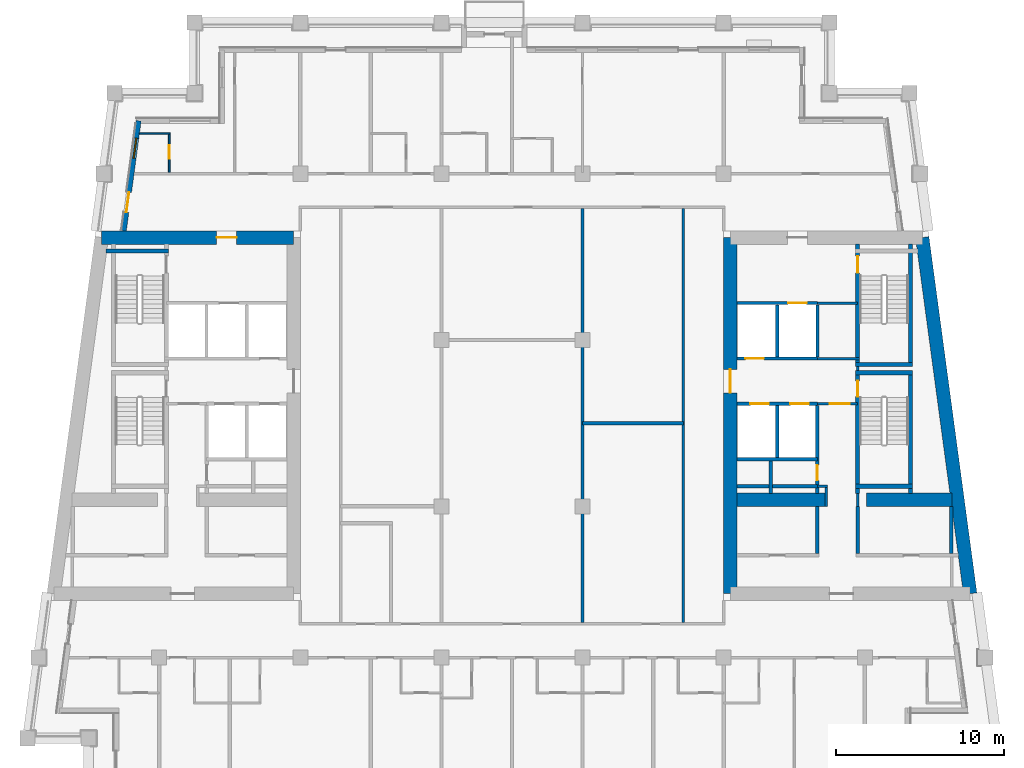
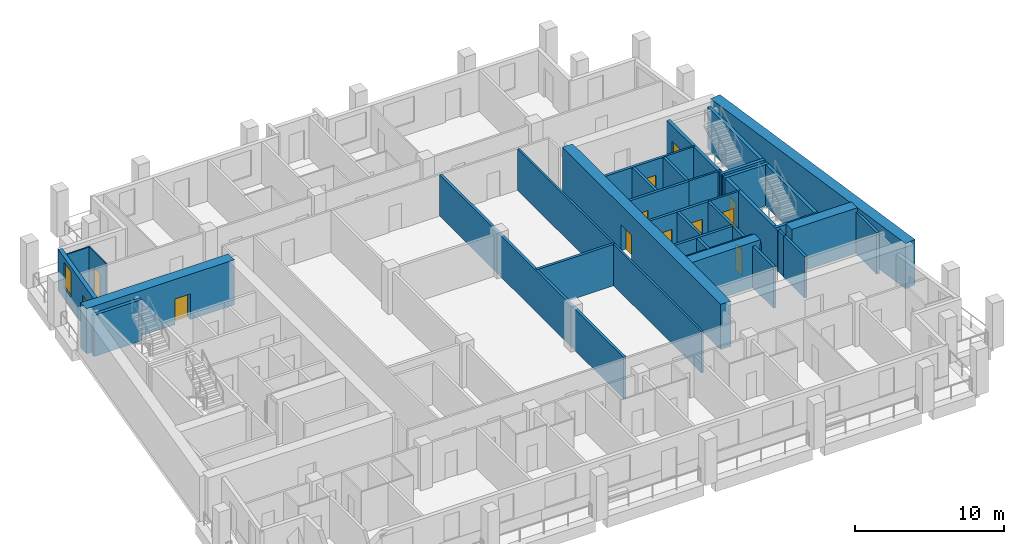
# One storey, part 5 of 12: 39 walls, 12 doors, 1 window, 13 openings.
"""IFC4 building model written with IfcOpenShell, lengths in metres."""

from ifc_helpers import new_model, si_unit, direction, frame, frame_2d, origin, place, context, subcontext, project, spatial, rectangle, extrude, material, layer, layer_set, type_object, element, fill, save


model = new_model("IFC4")

# Units and contexts
model_context = context("Model", 3, precision=1e-05, world=origin(), true_north=direction((0.0, 1.0)))
body_context = subcontext(model_context, "Body", "Model", "MODEL_VIEW")
ifc_project = project(units=[si_unit("LENGTHUNIT", "METRE"), si_unit("AREAUNIT", "SQUARE_METRE"), si_unit("VOLUMEUNIT", "CUBIC_METRE"), si_unit("PLANEANGLEUNIT", "RADIAN"), si_unit("MASSUNIT", "GRAM", prefix="KILO")], contexts=[model_context])

# Site, building, storey
site_placement = place(None, origin())
site = spatial("IfcSite", under=ifc_project, at=site_placement, CompositionType="ELEMENT")
building_placement = place(site_placement, origin())
building = spatial("IfcBuilding", under=site, at=building_placement, Name="Candeia Pilgrim Tower and Theatre", CompositionType="ELEMENT")
storey_placement = place(building_placement, frame((0.0, 0.0, 209.60009765625)))
storey = spatial("IfcBuildingStorey", under=building, at=storey_placement, Name="L50", CompositionType="ELEMENT", Elevation=209.60009765625)

# Wall, opening, door
ifc_material_1 = material(Name="Concrete C50/60", Category="concrete")
ifc_layer_1 = layer(ifc_material_1, 0.800048828125)
ifc_layer_set_1 = layer_set([ifc_layer_1], Name="Core wall 800 C50/60")
wall_type_1 = type_object("IfcWallType", Name="Core wall 800 C50/60", PredefinedType="SHEAR", material=ifc_layer_set_1)
wall_1_placement = place(storey_placement, frame((88.98046875, 132.0, 0.0), z_axis=(0.0, 0.0, 1.0), x_axis=(1.0, 0.0, 0.0)))
wall_1 = element("IfcWall", 1, at=wall_1_placement, inside=storey, type_object=wall_type_1, Name="Core wall W1", PredefinedType="SHEAR", context=body_context, shape_type="SweptSolid", body=[
    extrude(rectangle(XDim=11.41943359375, YDim=0.800048828125, at=frame_2d((5.709716796875, 0.0))), origin(), (0.0, 0.0, 1.0), 3.699951171875),
])
opening_1_placement = place(wall_1_placement, frame((6.8330078125, 0.0, 0.0)))
opening_1 = element("IfcOpeningElement", 2, at=opening_1_placement, cuts=wall_1, Name="Opening L50-D054", PredefinedType="OPENING", context=body_context, shape_type="SweptSolid", body=[
    extrude(rectangle(XDim=1.199951171875, YDim=2.10009765625, at=frame_2d((0.60009765625, 1.050048828125))), frame((0.0, 0.41015625, 0.0), z_axis=(0.0, -1.0, 0.0), x_axis=(1.0, 0.0, 0.0)), (0.0, 0.0, 1.0), 0.820068359375),
])
ifc_material_2 = material(Name="Steel fire door set", Category="steel")
door_type_1 = type_object("IfcDoorType", Name="D-1200-FD60", OperationType="NOTDEFINED", PredefinedType="DOOR", material=ifc_material_2)
door_1_placement = place(opening_1_placement, origin())
door_1 = element("IfcDoor", 3, at=door_1_placement, inside=storey, type_object=door_type_1, Name="Door L50-D054", OperationType="SINGLE_SWING_RIGHT", OverallHeight=2.10009765625, OverallWidth=1.199951171875, PredefinedType="DOOR", context=body_context, shape_type="SweptSolid", body=[
    extrude(rectangle(XDim=1.199951171875, YDim=2.10009765625, at=frame_2d((0.60009765625, 1.050048828125))), frame((0.0, 0.02490234375, 0.0), z_axis=(0.0, -1.0, 0.0), x_axis=(1.0, 0.0, 0.0)), (0.0, 0.0, 1.0), 0.050048828125),
])
fill(opening_1, door_1)

# Wall
wall_2_placement = place(storey_placement, frame((137.819580078125, 132.0, 0.0), z_axis=(0.0, 0.0, 1.0), x_axis=(0.133408347329, -0.991061154956, 0.0)))
element("IfcWall", 4, at=wall_2_placement, inside=storey, type_object=wall_type_1, Name="Core wall E2", PredefinedType="SHEAR", context=body_context, shape_type="SweptSolid", body=[
    extrude(rectangle(XDim=21.39111328125, YDim=0.800048828125, at=frame_2d((10.695556640625, 0.0))), origin(), (0.0, 0.0, 1.0), 3.699951171875),
])

# Wall, opening, door
wall_3_placement = place(storey_placement, frame((126.39990234375, 110.800048828125, 0.0), z_axis=(0.0, 0.0, 1.0), x_axis=(0.0, 1.0, 0.0)))
wall_3 = element("IfcWall", 5, at=wall_3_placement, inside=storey, type_object=wall_type_1, Name="Core wall E4", PredefinedType="SHEAR", context=body_context, shape_type="SweptSolid", body=[
    extrude(rectangle(XDim=21.199951171875, YDim=0.800048828125, at=frame_2d((10.60009765625, 0.0))), origin(), (0.0, 0.0, 1.0), 3.699951171875),
])
opening_2_placement = place(wall_3_placement, frame((11.949951171875, 0.0, 0.0)))
opening_2 = element("IfcOpeningElement", 6, at=opening_2_placement, cuts=wall_3, Name="Opening L50-D058", PredefinedType="OPENING", context=body_context, shape_type="SweptSolid", body=[
    extrude(rectangle(XDim=1.39990234375, YDim=2.10009765625, at=frame_2d((0.699951171875, 1.050048828125))), frame((0.0, 0.41015625, 0.0), z_axis=(0.0, -1.0, 0.0), x_axis=(1.0, 0.0, 0.0)), (0.0, 0.0, 1.0), 0.820068359375),
])
door_type_2 = type_object("IfcDoorType", Name="D-1400-FD60", OperationType="NOTDEFINED", PredefinedType="DOOR", material=ifc_material_2)
door_2_placement = place(opening_2_placement, origin())
door_2 = element("IfcDoor", 7, at=door_2_placement, inside=storey, type_object=door_type_2, Name="Door L50-D058", OperationType="SINGLE_SWING_RIGHT", OverallHeight=2.10009765625, OverallWidth=1.39990234375, PredefinedType="DOOR", context=body_context, shape_type="SweptSolid", body=[
    extrude(rectangle(XDim=1.39990234375, YDim=2.10009765625, at=frame_2d((0.699951171875, 1.050048828125))), frame((0.0, 0.02490234375, 0.0), z_axis=(0.0, -1.0, 0.0), x_axis=(1.0, 0.0, 0.0)), (0.0, 0.0, 1.0), 0.050048828125),
])
fill(opening_2, door_2)

# Walls
wall_4_placement = place(storey_placement, frame((126.800048828125, 116.39990234375, 0.0), z_axis=(0.0, 0.0, 1.0), x_axis=(1.0, 0.0, 0.0)))
element("IfcWall", 8, at=wall_4_placement, inside=storey, type_object=wall_type_1, Name="Core wall E5", PredefinedType="SHEAR", context=body_context, shape_type="SweptSolid", body=[
    extrude(rectangle(XDim=5.300048828125, YDim=0.800048828125, at=frame_2d((2.64990234375, 0.0))), origin(), (0.0, 0.0, 1.0), 3.699951171875),
])
wall_5_placement = place(storey_placement, frame((134.5, 116.39990234375, 0.0), z_axis=(0.0, 0.0, 1.0), x_axis=(1.0, 0.0, 0.0)))
element("IfcWall", 9, at=wall_5_placement, inside=storey, type_object=wall_type_1, Name="Core wall E6", PredefinedType="SHEAR", context=body_context, shape_type="SweptSolid", body=[
    extrude(rectangle(XDim=5.076904296875, YDim=0.800048828125, at=frame_2d((2.53857421875, 0.0))), origin(), (0.0, 0.0, 1.0), 3.699951171875),
])

# Wall, openings, door, window
ifc_material_3 = material(Name="Ceramic block masonry", Category="masonry")
ifc_layer_2 = layer(ifc_material_3, 0.300048828125)
ifc_layer_set_2 = layer_set([ifc_layer_2], Name="EW1 glazing-line wall 300")
wall_type_2 = type_object("IfcWallType", Name="EW1 glazing-line wall 300", PredefinedType="SOLIDWALL", material=ifc_layer_set_2)
wall_6_placement = place(storey_placement, frame((91.177490234375, 138.949951171875, 0.0), z_axis=(0.0, 0.0, 1.0), x_axis=(-0.133426664613, -0.991058689065, 0.0)))
wall_6 = element("IfcWall", 10, at=wall_6_placement, inside=storey, type_object=wall_type_2, Name="External wall L50-9.0", PredefinedType="SOLIDWALL", context=body_context, shape_type="SweptSolid", body=[
    extrude(rectangle(XDim=6.609130859375, YDim=0.300048828125, at=frame_2d((3.3046875, 0.0))), origin(), (0.0, 0.0, 1.0), 3.3798828125),
])
opening_3_placement = place(wall_6_placement, frame((1.039306640625, 0.0, 0.89990234375)))
opening_3 = element("IfcOpeningElement", 11, at=opening_3_placement, cuts=wall_6, Name="Opening W-B", PredefinedType="OPENING", context=body_context, shape_type="SweptSolid", body=[
    extrude(rectangle(XDim=1.199951171875, YDim=2.10009765625, at=frame_2d((0.60009765625, 1.050048828125))), frame((0.0, 0.16015625, 0.0), z_axis=(0.0, -1.0, 0.0), x_axis=(1.0, 0.0, 0.0)), (0.0, 0.0, 1.0), 0.320068359375),
])
opening_4_placement = place(wall_6_placement, frame((4.293701171875, 0.0, 0.0)))
opening_4 = element("IfcOpeningElement", 12, at=opening_4_placement, cuts=wall_6, Name="Opening L50-ED480", PredefinedType="OPENING", context=body_context, shape_type="SweptSolid", body=[
    extrude(rectangle(XDim=1.199951171875, YDim=2.39990234375, at=frame_2d((0.60009765625, 1.199951171875))), frame((0.0, 0.16015625, 0.0), z_axis=(0.0, -1.0, 0.0), x_axis=(1.0, 0.0, 0.0)), (0.0, 0.0, 1.0), 0.320068359375),
])
ifc_material_4 = material(Name="Aluminium framed glazed door", Category="aluminium")
door_type_3 = type_object("IfcDoorType", Name="Loggia door 1200x2400", OperationType="DOUBLE_DOOR_SINGLE_SWING", PredefinedType="DOOR", material=ifc_material_4)
door_3_placement = place(opening_4_placement, origin())
door_3 = element("IfcDoor", 13, at=door_3_placement, inside=storey, type_object=door_type_3, Name="Loggia door L50-ED480", OperationType="DOUBLE_DOOR_SINGLE_SWING", OverallHeight=2.39990234375, OverallWidth=1.199951171875, PredefinedType="DOOR", context=body_context, shape_type="SweptSolid", body=[
    extrude(rectangle(XDim=1.199951171875, YDim=2.39990234375, at=frame_2d((0.60009765625, 1.199951171875))), frame((0.0, 0.02490234375, 0.0), z_axis=(0.0, -1.0, 0.0), x_axis=(1.0, 0.0, 0.0)), (0.0, 0.0, 1.0), 0.050048828125),
])
fill(opening_4, door_3)
ifc_material_5 = material(Name="Aluminium framed double glazing", Category="aluminium")
window_type = type_object("IfcWindowType", Name="W-B window 1200x2100", PartitioningType="SINGLE_PANEL", PredefinedType="WINDOW", material=ifc_material_5)
window_placement = place(opening_3_placement, origin())
window = element("IfcWindow", 14, at=window_placement, inside=storey, type_object=window_type, Name="Window W-B L50", OverallHeight=2.10009765625, OverallWidth=1.199951171875, PartitioningType="SINGLE_PANEL", PredefinedType="WINDOW", context=body_context, shape_type="SweptSolid", body=[
    extrude(rectangle(XDim=1.199951171875, YDim=2.10009765625, at=frame_2d((0.60009765625, 1.050048828125))), frame((0.0, 0.030029296875, 0.0), z_axis=(0.0, -1.0, 0.0), x_axis=(1.0, 0.0, 0.0)), (0.0, 0.0, 1.0), 0.06005859375),
])
fill(opening_3, window)

# Wall
ifc_material_6 = material(Name="Gypsum board partition on steel studs", Category="steel")
ifc_layer_3 = layer(ifc_material_6, 0.10009765625)
ifc_layer_set_3 = layer_set([ifc_layer_3], Name="PW-100 room partition")
wall_type_3 = type_object("IfcWallType", Name="PW-100 room partition", PredefinedType="PARTITIONING", material=ifc_layer_set_3)
wall_7_placement = place(storey_placement, frame((91.2177734375, 138.199951171875, 0.0), z_axis=(0.0, 0.0, 1.0), x_axis=(1.0, 0.0, 0.0)))
element("IfcWall", 15, at=wall_7_placement, inside=storey, type_object=wall_type_3, Name="Room partition L50-046", PredefinedType="PARTITIONING", context=body_context, shape_type="SweptSolid", body=[
    extrude(rectangle(XDim=1.832275390625, YDim=0.10009765625, at=frame_2d((0.916015625, 0.0))), origin(), (0.0, 0.0, 1.0), 3.3798828125),
])

# Wall, opening, door
wall_8_placement = place(storey_placement, frame((93.0, 135.875, 0.0), z_axis=(0.0, 0.0, 1.0), x_axis=(0.0, 1.0, 0.0)))
wall_8 = element("IfcWall", 16, at=wall_8_placement, inside=storey, type_object=wall_type_3, Name="Room partition L50-060", PredefinedType="PARTITIONING", context=body_context, shape_type="SweptSolid", body=[
    extrude(rectangle(XDim=2.27490234375, YDim=0.10009765625, at=frame_2d((1.137451171875, 0.0))), origin(), (0.0, 0.0, 1.0), 3.3798828125),
])
opening_5_placement = place(wall_8_placement, frame((0.81494140625, 0.0, 0.0)))
opening_5 = element("IfcOpeningElement", 17, at=opening_5_placement, cuts=wall_8, Name="Opening L50-D036", PredefinedType="OPENING", context=body_context, shape_type="SweptSolid", body=[
    extrude(rectangle(XDim=0.800048828125, YDim=2.10009765625, at=frame_2d((0.39990234375, 1.050048828125))), frame((0.0, 0.06005859375, 0.0), z_axis=(0.0, -1.0, 0.0), x_axis=(1.0, 0.0, 0.0)), (0.0, 0.0, 1.0), 0.1201171875),
])
ifc_material_7 = material(Name="Timber door leaf", Category="wood")
door_type_4 = type_object("IfcDoorType", Name="D-800", OperationType="NOTDEFINED", PredefinedType="DOOR", material=ifc_material_7)
door_4_placement = place(opening_5_placement, origin())
door_4 = element("IfcDoor", 18, at=door_4_placement, inside=storey, type_object=door_type_4, Name="Door L50-D036", OperationType="SINGLE_SWING_RIGHT", OverallHeight=2.10009765625, OverallWidth=0.800048828125, PredefinedType="DOOR", context=body_context, shape_type="SweptSolid", body=[
    extrude(rectangle(XDim=0.800048828125, YDim=2.10009765625, at=frame_2d((0.39990234375, 1.050048828125))), frame((0.0, 0.02490234375, 0.0), z_axis=(0.0, -1.0, 0.0), x_axis=(1.0, 0.0, 0.0)), (0.0, 0.0, 1.0), 0.050048828125),
])
fill(opening_5, door_4)

# Wall
ifc_layer_4 = layer(ifc_material_6, 0.14990234375)
ifc_layer_set_4 = layer_set([ifc_layer_4], Name="PW-150 lobby wall")
wall_type_4 = type_object("IfcWallType", Name="PW-150 lobby wall", PredefinedType="PARTITIONING", material=ifc_layer_set_4)
wall_9_placement = place(storey_placement, frame((131.572998046875, 117.199951171875, 0.0), z_axis=(0.0, 0.0, 1.0), x_axis=(1.0, 0.0, 0.0)))
element("IfcWall", 19, at=wall_9_placement, inside=storey, type_object=wall_type_4, Name="Lobby wall L50-020", PredefinedType="PARTITIONING", context=body_context, shape_type="SweptSolid", body=[
    extrude(rectangle(XDim=0.60205078125, YDim=0.14990234375, at=frame_2d((0.301025390625, 0.0))), origin(), (0.0, 0.0, 1.0), 3.3798828125),
])

# Wall, opening, door
wall_10_placement = place(storey_placement, frame((131.572998046875, 122.10009765625, 0.0), z_axis=(0.0, 0.0, 1.0), x_axis=(1.0, 0.0, 0.0)))
wall_10 = element("IfcWall", 20, at=wall_10_placement, inside=storey, type_object=wall_type_4, Name="Lobby wall L50-029", PredefinedType="PARTITIONING", context=body_context, shape_type="SweptSolid", body=[
    extrude(rectangle(XDim=2.39990234375, YDim=0.14990234375, at=frame_2d((1.199951171875, 0.0))), origin(), (0.0, 0.0, 1.0), 3.3798828125),
])
opening_6_placement = place(wall_10_placement, frame((0.72509765625, 0.0, 0.0)))
opening_6 = element("IfcOpeningElement", 21, at=opening_6_placement, cuts=wall_10, Name="Opening L50-D007", PredefinedType="OPENING", context=body_context, shape_type="SweptSolid", body=[
    extrude(rectangle(XDim=1.199951171875, YDim=2.10009765625, at=frame_2d((0.60009765625, 1.050048828125))), frame((0.0, 0.0849609375, 0.0), z_axis=(0.0, -1.0, 0.0), x_axis=(1.0, 0.0, 0.0)), (0.0, 0.0, 1.0), 0.169921875),
])
door_5_placement = place(opening_6_placement, origin())
door_5 = element("IfcDoor", 22, at=door_5_placement, inside=storey, type_object=door_type_1, Name="Door L50-D007", OperationType="SINGLE_SWING_LEFT", OverallHeight=2.10009765625, OverallWidth=1.199951171875, PredefinedType="DOOR", context=body_context, shape_type="SweptSolid", body=[
    extrude(rectangle(XDim=1.199951171875, YDim=2.10009765625, at=frame_2d((0.60009765625, 1.050048828125))), frame((0.0, 0.02490234375, 0.0), z_axis=(0.0, -1.0, 0.0), x_axis=(1.0, 0.0, 0.0)), (0.0, 0.0, 1.0), 0.050048828125),
])
fill(opening_6, door_5)

# Walls
wall_11_placement = place(storey_placement, frame((131.58203125, 124.800048828125, 0.0), z_axis=(0.0, 0.0, 1.0), x_axis=(1.0, 0.0, 0.0)))
element("IfcWall", 23, at=wall_11_placement, inside=storey, type_object=wall_type_4, Name="Lobby wall L50-036", PredefinedType="PARTITIONING", context=body_context, shape_type="SweptSolid", body=[
    extrude(rectangle(XDim=2.515869140625, YDim=0.14990234375, at=frame_2d((1.2578125, 0.0))), origin(), (0.0, 0.0, 1.0), 3.3798828125),
])
wall_12_placement = place(storey_placement, frame((131.58203125, 128.10009765625, 0.0), z_axis=(0.0, 0.0, 1.0), x_axis=(1.0, 0.0, 0.0)))
element("IfcWall", 24, at=wall_12_placement, inside=storey, type_object=wall_type_4, Name="Lobby wall L50-040", PredefinedType="PARTITIONING", context=body_context, shape_type="SweptSolid", body=[
    extrude(rectangle(XDim=2.390869140625, YDim=0.14990234375, at=frame_2d((1.1953125, 0.0))), origin(), (0.0, 0.0, 1.0), 3.3798828125),
])
wall_13_placement = place(storey_placement, frame((132.10009765625, 116.0, 0.0), z_axis=(0.0, 0.0, 1.0), x_axis=(0.0, 1.0, 0.0)))
element("IfcWall", 25, at=wall_13_placement, inside=storey, type_object=wall_type_4, Name="Lobby wall L50-109", PredefinedType="PARTITIONING", context=body_context, shape_type="SweptSolid", body=[
    extrude(rectangle(XDim=1.125, YDim=0.14990234375, at=frame_2d((0.5625, 0.0))), origin(), (0.0, 0.0, 1.0), 3.3798828125),
])
wall_14_placement = place(storey_placement, frame((133.972900390625, 116.0, 0.0), z_axis=(0.0, 0.0, 1.0), x_axis=(0.0, 1.0, 0.0)))
element("IfcWall", 26, at=wall_14_placement, inside=storey, type_object=wall_type_4, Name="Lobby wall L50-111", PredefinedType="PARTITIONING", context=body_context, shape_type="SweptSolid", body=[
    extrude(rectangle(XDim=0.77001953125, YDim=0.14990234375, at=frame_2d((0.385009765625, 0.0))), origin(), (0.0, 0.0, 1.0), 3.3798828125),
])
wall_15_placement = place(storey_placement, frame((133.972900390625, 124.074951171875, 0.0), z_axis=(0.0, 0.0, 1.0), x_axis=(0.0, 1.0, 0.0)))
element("IfcWall", 27, at=wall_15_placement, inside=storey, type_object=wall_type_4, Name="Lobby wall L50-112", PredefinedType="PARTITIONING", context=body_context, shape_type="SweptSolid", body=[
    extrude(rectangle(XDim=0.25, YDim=0.14990234375, at=frame_2d((0.125, 0.0))), origin(), (0.0, 0.0, 1.0), 3.3798828125),
])
ifc_layer_5 = layer(ifc_material_6, 0.14990234375)
ifc_layer_set_5 = layer_set([ifc_layer_5], Name="PW-150 unit wall")
wall_type_5 = type_object("IfcWallType", Name="PW-150 unit wall", PredefinedType="PARTITIONING", material=ifc_layer_set_5)
wall_16_placement = place(storey_placement, frame((123.60009765625, 109.074951171875, 0.0), z_axis=(0.0, 0.0, 1.0), x_axis=(0.0, 1.0, 0.0)))
element("IfcWall", 28, at=wall_16_placement, inside=storey, type_object=wall_type_5, Name="Unit wall L50-096", PredefinedType="PARTITIONING", context=body_context, shape_type="SweptSolid", body=[
    extrude(rectangle(XDim=24.650146484375, YDim=0.14990234375, at=frame_2d((12.3251953125, 0.0))), origin(), (0.0, 0.0, 1.0), 3.3798828125),
])
ifc_layer_6 = layer(ifc_material_6, 0.199951171875)
ifc_layer_set_6 = layer_set([ifc_layer_6], Name="PW-200 party wall")
wall_type_6 = type_object("IfcWallType", Name="PW-200 party wall", PredefinedType="PARTITIONING", material=ifc_layer_set_6)
wall_17_placement = place(storey_placement, frame((117.60009765625, 120.949951171875, 0.0), z_axis=(0.0, 0.0, 1.0), x_axis=(1.0, 0.0, 0.0)))
element("IfcWall", 29, at=wall_17_placement, inside=storey, type_object=wall_type_6, Name="Party wall L50-025", PredefinedType="PARTITIONING", context=body_context, shape_type="SweptSolid", body=[
    extrude(rectangle(XDim=6.0, YDim=0.199951171875, at=frame_2d((3.0, 0.0))), origin(), (0.0, 0.0, 1.0), 3.3798828125),
])
wall_18_placement = place(storey_placement, frame((117.60009765625, 109.074951171875, 0.0), z_axis=(0.0, 0.0, 1.0), x_axis=(0.0, 1.0, 0.0)))
element("IfcWall", 30, at=wall_18_placement, inside=storey, type_object=wall_type_6, Name="Party wall L50-092", PredefinedType="PARTITIONING", context=body_context, shape_type="SweptSolid", body=[
    extrude(rectangle(XDim=24.650146484375, YDim=0.199951171875, at=frame_2d((12.3251953125, 0.0))), origin(), (0.0, 0.0, 1.0), 3.3798828125),
])
ifc_material_8 = material(Name="Concrete C40/50", Category="concrete")
ifc_layer_7 = layer(ifc_material_8, 0.199951171875)
ifc_layer_set_7 = layer_set([ifc_layer_7], Name="SW-200 shaft wall")
wall_type_7 = type_object("IfcWallType", Name="SW-200 shaft wall", PredefinedType="PARTITIONING", material=ifc_layer_set_7)
for number, where, z_axis, x_axis, name in (
    (31, (126.800048828125, 117.199951171875, 0.0), (0.0, 0.0, 1.0), (1.0, 0.0, 0.0), "Shaft wall L50-018"),
    (32, (126.800048828125, 118.800048828125, 0.0), (0.0, 0.0, 1.0), (1.0, 0.0, 0.0), "Shaft wall L50-024"),
):
    element("IfcWall", number, at=place(storey_placement, frame(where, z_axis=z_axis, x_axis=x_axis)), inside=storey, type_object=wall_type_7, Name=name, PredefinedType="PARTITIONING", context=body_context, shape_type="SweptSolid", body=[
        extrude(rectangle(XDim=4.77294921875, YDim=0.199951171875, at=frame_2d((2.386474609375, 0.0))), origin(), (0.0, 0.0, 1.0), 3.3798828125),
    ])

# Wall, openings, doors
wall_19_placement = place(storey_placement, frame((126.800048828125, 122.10009765625, 0.0), z_axis=(0.0, 0.0, 1.0), x_axis=(1.0, 0.0, 0.0)))
wall_19 = element("IfcWall", 33, at=wall_19_placement, inside=storey, type_object=wall_type_7, Name="Shaft wall L50-027", PredefinedType="PARTITIONING", context=body_context, shape_type="SweptSolid", body=[
    extrude(rectangle(XDim=4.77294921875, YDim=0.199951171875, at=frame_2d((2.386474609375, 0.0))), origin(), (0.0, 0.0, 1.0), 3.3798828125),
])
opening_7_placement = place(wall_19_placement, frame((3.176025390625, 0.0, 0.0)))
opening_7 = element("IfcOpeningElement", 34, at=opening_7_placement, cuts=wall_19, Name="Opening L50-LD05", PredefinedType="OPENING", context=body_context, shape_type="SweptSolid", body=[
    extrude(rectangle(XDim=1.10009765625, YDim=2.10009765625, at=frame_2d((0.550048828125, 1.050048828125))), frame((0.0, 0.10986328125, 0.0), z_axis=(0.0, -1.0, 0.0), x_axis=(1.0, 0.0, 0.0)), (0.0, 0.0, 1.0), 0.219970703125),
])
opening_8_placement = place(wall_19_placement, frame((0.7900390625, 0.0, 0.0)))
opening_8 = element("IfcOpeningElement", 35, at=opening_8_placement, cuts=wall_19, Name="Opening L50-LD06", PredefinedType="OPENING", context=body_context, shape_type="SweptSolid", body=[
    extrude(rectangle(XDim=1.10009765625, YDim=2.10009765625, at=frame_2d((0.550048828125, 1.050048828125))), frame((0.0, 0.10986328125, 0.0), z_axis=(0.0, -1.0, 0.0), x_axis=(1.0, 0.0, 0.0)), (0.0, 0.0, 1.0), 0.219970703125),
])
ifc_material_9 = material(Name="Glazed aluminium landing door", Category="aluminium")
door_type_5 = type_object("IfcDoorType", Name="LD-1100-EI120", OperationType="SLIDING_TO_LEFT", PredefinedType="DOOR", material=ifc_material_9)
door_6_placement = place(opening_7_placement, origin())
door_6 = element("IfcDoor", 36, at=door_6_placement, inside=storey, type_object=door_type_5, Name="Landing door 05 L50", OperationType="SLIDING_TO_LEFT", OverallHeight=2.10009765625, OverallWidth=1.10009765625, PredefinedType="DOOR", context=body_context, shape_type="SweptSolid", body=[
    extrude(rectangle(XDim=1.10009765625, YDim=2.10009765625, at=frame_2d((0.550048828125, 1.050048828125))), frame((0.0, 0.02490234375, 0.0), z_axis=(0.0, -1.0, 0.0), x_axis=(1.0, 0.0, 0.0)), (0.0, 0.0, 1.0), 0.050048828125),
])
fill(opening_7, door_6)
door_7_placement = place(opening_8_placement, origin())
door_7 = element("IfcDoor", 37, at=door_7_placement, inside=storey, type_object=door_type_5, Name="Landing door 06 L50", OperationType="SLIDING_TO_LEFT", OverallHeight=2.10009765625, OverallWidth=1.10009765625, PredefinedType="DOOR", context=body_context, shape_type="SweptSolid", body=[
    extrude(rectangle(XDim=1.10009765625, YDim=2.10009765625, at=frame_2d((0.550048828125, 1.050048828125))), frame((0.0, 0.02490234375, 0.0), z_axis=(0.0, -1.0, 0.0), x_axis=(1.0, 0.0, 0.0)), (0.0, 0.0, 1.0), 0.050048828125),
])
fill(opening_8, door_7)

# Wall, opening, door
wall_20_placement = place(storey_placement, frame((126.800048828125, 124.800048828125, 0.0), z_axis=(0.0, 0.0, 1.0), x_axis=(1.0, 0.0, 0.0)))
wall_20 = element("IfcWall", 38, at=wall_20_placement, inside=storey, type_object=wall_type_7, Name="Shaft wall L50-035", PredefinedType="PARTITIONING", context=body_context, shape_type="SweptSolid", body=[
    extrude(rectangle(XDim=4.781982421875, YDim=0.199951171875, at=frame_2d((2.39111328125, 0.0))), origin(), (0.0, 0.0, 1.0), 3.3798828125),
])
opening_9_placement = place(wall_20_placement, frame((0.498046875, 0.0, 0.0)))
opening_9 = element("IfcOpeningElement", 39, at=opening_9_placement, cuts=wall_20, Name="Opening L50-LD08", PredefinedType="OPENING", context=body_context, shape_type="SweptSolid", body=[
    extrude(rectangle(XDim=1.10009765625, YDim=2.10009765625, at=frame_2d((0.550048828125, 1.050048828125))), frame((0.0, 0.10986328125, 0.0), z_axis=(0.0, -1.0, 0.0), x_axis=(1.0, 0.0, 0.0)), (0.0, 0.0, 1.0), 0.219970703125),
])
door_8_placement = place(opening_9_placement, origin())
door_8 = element("IfcDoor", 40, at=door_8_placement, inside=storey, type_object=door_type_5, Name="Landing door 08 L50", OperationType="SLIDING_TO_LEFT", OverallHeight=2.10009765625, OverallWidth=1.10009765625, PredefinedType="DOOR", context=body_context, shape_type="SweptSolid", body=[
    extrude(rectangle(XDim=1.10009765625, YDim=2.10009765625, at=frame_2d((0.550048828125, 1.050048828125))), frame((0.0, 0.02490234375, 0.0), z_axis=(0.0, -1.0, 0.0), x_axis=(1.0, 0.0, 0.0)), (0.0, 0.0, 1.0), 0.050048828125),
])
fill(opening_9, door_8)

wall_21_placement = place(storey_placement, frame((126.800048828125, 128.10009765625, 0.0), z_axis=(0.0, 0.0, 1.0), x_axis=(1.0, 0.0, 0.0)))
wall_21 = element("IfcWall", 41, at=wall_21_placement, inside=storey, type_object=wall_type_7, Name="Shaft wall L50-039", PredefinedType="PARTITIONING", context=body_context, shape_type="SweptSolid", body=[
    extrude(rectangle(XDim=4.781982421875, YDim=0.199951171875, at=frame_2d((2.39111328125, 0.0))), origin(), (0.0, 0.0, 1.0), 3.3798828125),
])
opening_10_placement = place(wall_21_placement, frame((3.035888671875, 0.0, 0.0)))
opening_10 = element("IfcOpeningElement", 42, at=opening_10_placement, cuts=wall_21, Name="Opening L50-LD07", PredefinedType="OPENING", context=body_context, shape_type="SweptSolid", body=[
    extrude(rectangle(XDim=1.10009765625, YDim=2.10009765625, at=frame_2d((0.550048828125, 1.050048828125))), frame((0.0, 0.10986328125, 0.0), z_axis=(0.0, -1.0, 0.0), x_axis=(1.0, 0.0, 0.0)), (0.0, 0.0, 1.0), 0.219970703125),
])
door_9_placement = place(opening_10_placement, origin())
door_9 = element("IfcDoor", 43, at=door_9_placement, inside=storey, type_object=door_type_5, Name="Landing door 07 L50", OperationType="SLIDING_TO_LEFT", OverallHeight=2.10009765625, OverallWidth=1.10009765625, PredefinedType="DOOR", context=body_context, shape_type="SweptSolid", body=[
    extrude(rectangle(XDim=1.10009765625, YDim=2.10009765625, at=frame_2d((0.550048828125, 1.050048828125))), frame((0.0, 0.02490234375, 0.0), z_axis=(0.0, -1.0, 0.0), x_axis=(1.0, 0.0, 0.0)), (0.0, 0.0, 1.0), 0.050048828125),
])
fill(opening_10, door_9)

# Walls
wall_22_placement = place(storey_placement, frame((128.800048828125, 116.77001953125, 0.0), z_axis=(0.0, 0.0, 1.0), x_axis=(0.0, 1.0, 0.0)))
element("IfcWall", 44, at=wall_22_placement, inside=storey, type_object=wall_type_7, Name="Shaft wall L50-102", PredefinedType="PARTITIONING", context=body_context, shape_type="SweptSolid", body=[
    extrude(rectangle(XDim=1.929931640625, YDim=0.199951171875, at=frame_2d((0.96484375, 0.0))), origin(), (0.0, 0.0, 1.0), 3.3798828125),
])
for number, where, z_axis, x_axis, name in (
    (45, (129.1865234375, 118.89990234375, 0.0), (0.0, 0.0, 1.0), (0.0, 1.0, 0.0), "Shaft wall L50-103"),
    (46, (129.19091796875, 124.89990234375, 0.0), (0.0, 0.0, 1.0), (0.0, 1.0, 0.0), "Shaft wall L50-104"),
):
    element("IfcWall", number, at=place(storey_placement, frame(where, z_axis=z_axis, x_axis=x_axis)), inside=storey, type_object=wall_type_7, Name=name, PredefinedType="PARTITIONING", context=body_context, shape_type="SweptSolid", body=[
        extrude(rectangle(XDim=3.10009765625, YDim=0.199951171875, at=frame_2d((1.550048828125, 0.0))), origin(), (0.0, 0.0, 1.0), 3.3798828125),
    ])
wall_23_placement = place(storey_placement, frame((131.572998046875, 113.199951171875, 0.0), z_axis=(0.0, 0.0, 1.0), x_axis=(0.0, 1.0, 0.0)))
element("IfcWall", 47, at=wall_23_placement, inside=storey, type_object=wall_type_7, Name="Shaft wall L50-106", PredefinedType="PARTITIONING", context=body_context, shape_type="SweptSolid", body=[
    extrude(rectangle(XDim=2.800048828125, YDim=0.199951171875, at=frame_2d((1.39990234375, 0.0))), origin(), (0.0, 0.0, 1.0), 3.3798828125),
])

# Wall, opening, door
wall_24_placement = place(storey_placement, frame((131.572998046875, 116.77001953125, 0.0), z_axis=(0.0, 0.0, 1.0), x_axis=(0.0, 1.0, 0.0)))
wall_24 = element("IfcWall", 48, at=wall_24_placement, inside=storey, type_object=wall_type_7, Name="Shaft wall L50-107", PredefinedType="PARTITIONING", context=body_context, shape_type="SweptSolid", body=[
    extrude(rectangle(XDim=5.22998046875, YDim=0.199951171875, at=frame_2d((2.614990234375, 0.0))), origin(), (0.0, 0.0, 1.0), 3.3798828125),
])
opening_11_placement = place(wall_24_placement, frame((0.780029296875, 0.0, 0.0)))
opening_11 = element("IfcOpeningElement", 49, at=opening_11_placement, cuts=wall_24, Name="Opening L50-D010", PredefinedType="OPENING", context=body_context, shape_type="SweptSolid", body=[
    extrude(rectangle(XDim=0.89990234375, YDim=2.10009765625, at=frame_2d((0.449951171875, 1.050048828125))), frame((0.0, 0.10986328125, 0.0), z_axis=(0.0, -1.0, 0.0), x_axis=(1.0, 0.0, 0.0)), (0.0, 0.0, 1.0), 0.219970703125),
])
door_type_6 = type_object("IfcDoorType", Name="D-900-FD60", OperationType="NOTDEFINED", PredefinedType="DOOR", material=ifc_material_2)
door_10_placement = place(opening_11_placement, origin())
door_10 = element("IfcDoor", 50, at=door_10_placement, inside=storey, type_object=door_type_6, Name="Door L50-D010", OperationType="SINGLE_SWING_RIGHT", OverallHeight=2.10009765625, OverallWidth=0.89990234375, PredefinedType="DOOR", context=body_context, shape_type="SweptSolid", body=[
    extrude(rectangle(XDim=0.89990234375, YDim=2.10009765625, at=frame_2d((0.449951171875, 1.050048828125))), frame((0.0, 0.02490234375, 0.0), z_axis=(0.0, -1.0, 0.0), x_axis=(1.0, 0.0, 0.0)), (0.0, 0.0, 1.0), 0.050048828125),
])
fill(opening_11, door_10)

# Walls
wall_25_placement = place(storey_placement, frame((131.58203125, 124.89990234375, 0.0), z_axis=(0.0, 0.0, 1.0), x_axis=(0.0, 1.0, 0.0)))
element("IfcWall", 51, at=wall_25_placement, inside=storey, type_object=wall_type_7, Name="Shaft wall L50-108", PredefinedType="PARTITIONING", context=body_context, shape_type="SweptSolid", body=[
    extrude(rectangle(XDim=3.10009765625, YDim=0.199951171875, at=frame_2d((1.550048828125, 0.0))), origin(), (0.0, 0.0, 1.0), 3.3798828125),
])
for number, where, z_axis, x_axis, name in (
    (52, (133.972900390625, 113.199951171875, 0.0), (0.0, 0.0, 1.0), (0.0, 1.0, 0.0), "Shaft wall L50-110"),
    (53, (139.550537109375, 113.199951171875, 0.0), (0.0, 0.0, 1.0), (0.0, 1.0, 0.0), "Shaft wall L50-119"),
):
    element("IfcWall", number, at=place(storey_placement, frame(where, z_axis=z_axis, x_axis=x_axis)), inside=storey, type_object=wall_type_7, Name=name, PredefinedType="PARTITIONING", context=body_context, shape_type="SweptSolid", body=[
        extrude(rectangle(XDim=2.800048828125, YDim=0.199951171875, at=frame_2d((1.39990234375, 0.0))), origin(), (0.0, 0.0, 1.0), 3.3798828125),
    ])
ifc_layer_8 = layer(ifc_material_8, 0.25)
ifc_layer_set_8 = layer_set([ifc_layer_8], Name="SW-250 stair wall")
wall_type_8 = type_object("IfcWallType", Name="SW-250 stair wall", PredefinedType="PARTITIONING", material=ifc_layer_set_8)
for number, where, z_axis, x_axis, name in (
    (54, (133.847900390625, 117.199951171875, 0.0), (0.0, 0.0, 1.0), (1.0, 0.0, 0.0), "Stair wall L50-022"),
    (55, (133.847900390625, 123.949951171875, 0.0), (0.0, 0.0, 1.0), (1.0, 0.0, 0.0), "Stair wall L50-031"),
    (56, (133.847900390625, 124.449951171875, 0.0), (0.0, 0.0, 1.0), (1.0, 0.0, 0.0), "Stair wall L50-033"),
):
    element("IfcWall", number, at=place(storey_placement, frame(where, z_axis=z_axis, x_axis=x_axis)), inside=storey, type_object=wall_type_8, Name=name, PredefinedType="PARTITIONING", context=body_context, shape_type="SweptSolid", body=[
        extrude(rectangle(XDim=3.400146484375, YDim=0.25, at=frame_2d((1.7001953125, 0.0))), origin(), (0.0, 0.0, 1.0), 3.3798828125),
    ])
wall_26_placement = place(storey_placement, frame((89.246337890625, 131.199951171875, 0.0), z_axis=(0.0, 0.0, 1.0), x_axis=(1.0, 0.0, 0.0)))
element("IfcWall", 57, at=wall_26_placement, inside=storey, type_object=wall_type_8, Name="Stair wall L50-041", PredefinedType="PARTITIONING", context=body_context, shape_type="SweptSolid", body=[
    extrude(rectangle(XDim=3.70556640625, YDim=0.25, at=frame_2d((1.852783203125, 0.0))), origin(), (0.0, 0.0, 1.0), 3.3798828125),
])

# Wall, opening, door
wall_27_placement = place(storey_placement, frame((133.972900390625, 116.77001953125, 0.0), z_axis=(0.0, 0.0, 1.0), x_axis=(0.0, 1.0, 0.0)))
wall_27 = element("IfcWall", 58, at=wall_27_placement, inside=storey, type_object=wall_type_8, Name="Stair wall L50-113", PredefinedType="PARTITIONING", context=body_context, shape_type="SweptSolid", body=[
    extrude(rectangle(XDim=7.054931640625, YDim=0.25, at=frame_2d((3.52734375, 0.0))), origin(), (0.0, 0.0, 1.0), 3.3798828125),
])
opening_12_placement = place(wall_27_placement, frame((5.7548828125, 0.0, 0.0)))
opening_12 = element("IfcOpeningElement", 59, at=opening_12_placement, cuts=wall_27, Name="Opening L50-D008", PredefinedType="OPENING", context=body_context, shape_type="SweptSolid", body=[
    extrude(rectangle(XDim=0.949951171875, YDim=2.10009765625, at=frame_2d((0.47509765625, 1.050048828125))), frame((0.0, 0.135009765625, 0.0), z_axis=(0.0, -1.0, 0.0), x_axis=(1.0, 0.0, 0.0)), (0.0, 0.0, 1.0), 0.27001953125),
])
door_type_7 = type_object("IfcDoorType", Name="D-950-FD60", OperationType="NOTDEFINED", PredefinedType="DOOR", material=ifc_material_2)
door_11_placement = place(opening_12_placement, origin())
door_11 = element("IfcDoor", 60, at=door_11_placement, inside=storey, type_object=door_type_7, Name="Door L50-D008", OperationType="SINGLE_SWING_RIGHT", OverallHeight=2.10009765625, OverallWidth=0.949951171875, PredefinedType="DOOR", context=body_context, shape_type="SweptSolid", body=[
    extrude(rectangle(XDim=0.949951171875, YDim=2.10009765625, at=frame_2d((0.47509765625, 1.050048828125))), frame((0.0, 0.02490234375, 0.0), z_axis=(0.0, -1.0, 0.0), x_axis=(1.0, 0.0, 0.0)), (0.0, 0.0, 1.0), 0.050048828125),
])
fill(opening_12, door_11)

wall_28_placement = place(storey_placement, frame((133.972900390625, 124.574951171875, 0.0), z_axis=(0.0, 0.0, 1.0), x_axis=(0.0, 1.0, 0.0)))
wall_28 = element("IfcWall", 61, at=wall_28_placement, inside=storey, type_object=wall_type_8, Name="Stair wall L50-114", PredefinedType="PARTITIONING", context=body_context, shape_type="SweptSolid", body=[
    extrude(rectangle(XDim=7.054931640625, YDim=0.25, at=frame_2d((3.52734375, 0.0))), origin(), (0.0, 0.0, 1.0), 3.3798828125),
])
opening_13_placement = place(wall_28_placement, frame((5.324951171875, 0.0, 0.0)))
opening_13 = element("IfcOpeningElement", 62, at=opening_13_placement, cuts=wall_28, Name="Opening L50-D009", PredefinedType="OPENING", context=body_context, shape_type="SweptSolid", body=[
    extrude(rectangle(XDim=1.0, YDim=2.10009765625, at=frame_2d((0.5, 1.050048828125))), frame((0.0, 0.135009765625, 0.0), z_axis=(0.0, -1.0, 0.0), x_axis=(1.0, 0.0, 0.0)), (0.0, 0.0, 1.0), 0.27001953125),
])
door_type_8 = type_object("IfcDoorType", Name="D-1000-FD60", OperationType="NOTDEFINED", PredefinedType="DOOR", material=ifc_material_2)
door_12_placement = place(opening_13_placement, origin())
door_12 = element("IfcDoor", 63, at=door_12_placement, inside=storey, type_object=door_type_8, Name="Door L50-D009", OperationType="SINGLE_SWING_LEFT", OverallHeight=2.10009765625, OverallWidth=1.0, PredefinedType="DOOR", context=body_context, shape_type="SweptSolid", body=[
    extrude(rectangle(XDim=1.0, YDim=2.10009765625, at=frame_2d((0.5, 1.050048828125))), frame((0.0, 0.02490234375, 0.0), z_axis=(0.0, -1.0, 0.0), x_axis=(1.0, 0.0, 0.0)), (0.0, 0.0, 1.0), 0.050048828125),
])
fill(opening_13, door_12)

# Walls
for number, where, z_axis, x_axis, name in (
    (64, (137.123046875, 116.77001953125, 0.0), (0.0, 0.0, 1.0), (0.0, 1.0, 0.0), "Stair wall L50-116"),
    (65, (137.123046875, 124.574951171875, 0.0), (0.0, 0.0, 1.0), (0.0, 1.0, 0.0), "Stair wall L50-117"),
):
    element("IfcWall", number, at=place(storey_placement, frame(where, z_axis=z_axis, x_axis=x_axis)), inside=storey, type_object=wall_type_8, Name=name, PredefinedType="PARTITIONING", context=body_context, shape_type="SweptSolid", body=[
        extrude(rectangle(XDim=7.054931640625, YDim=0.25, at=frame_2d((3.52734375, 0.0))), origin(), (0.0, 0.0, 1.0), 3.3798828125),
    ])

save(model, "model.ifc")
